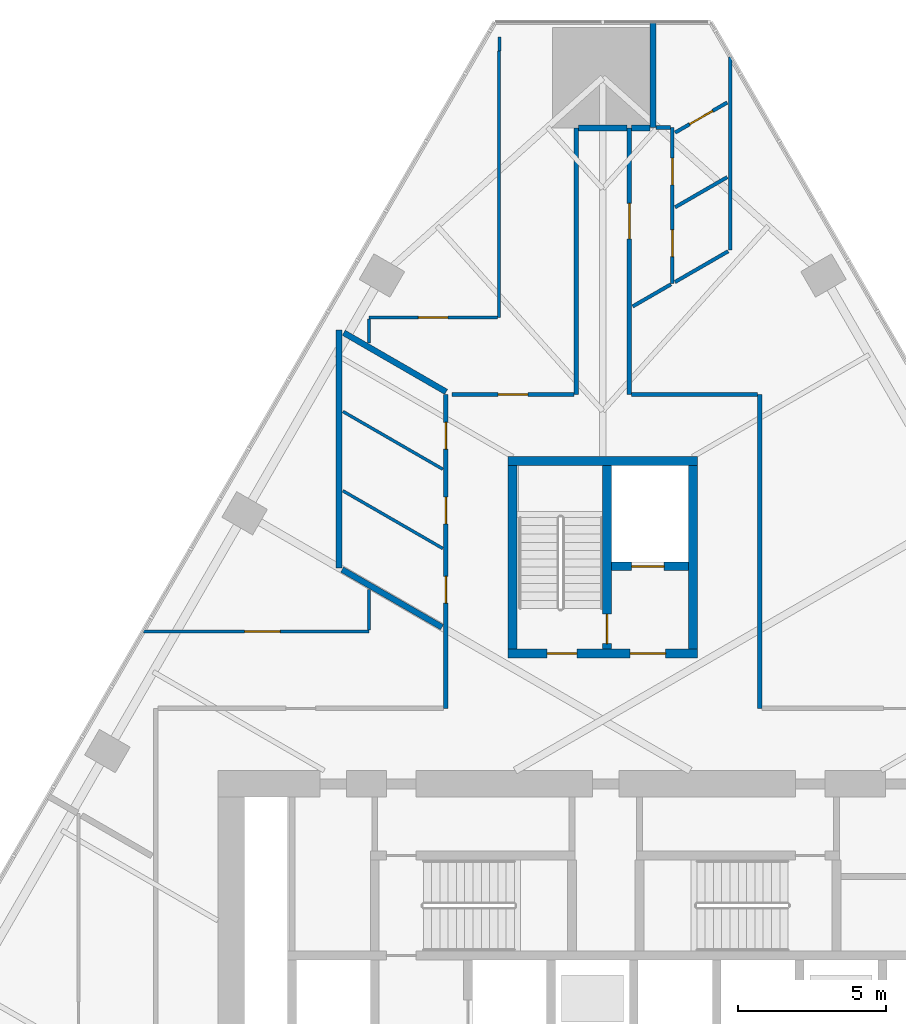
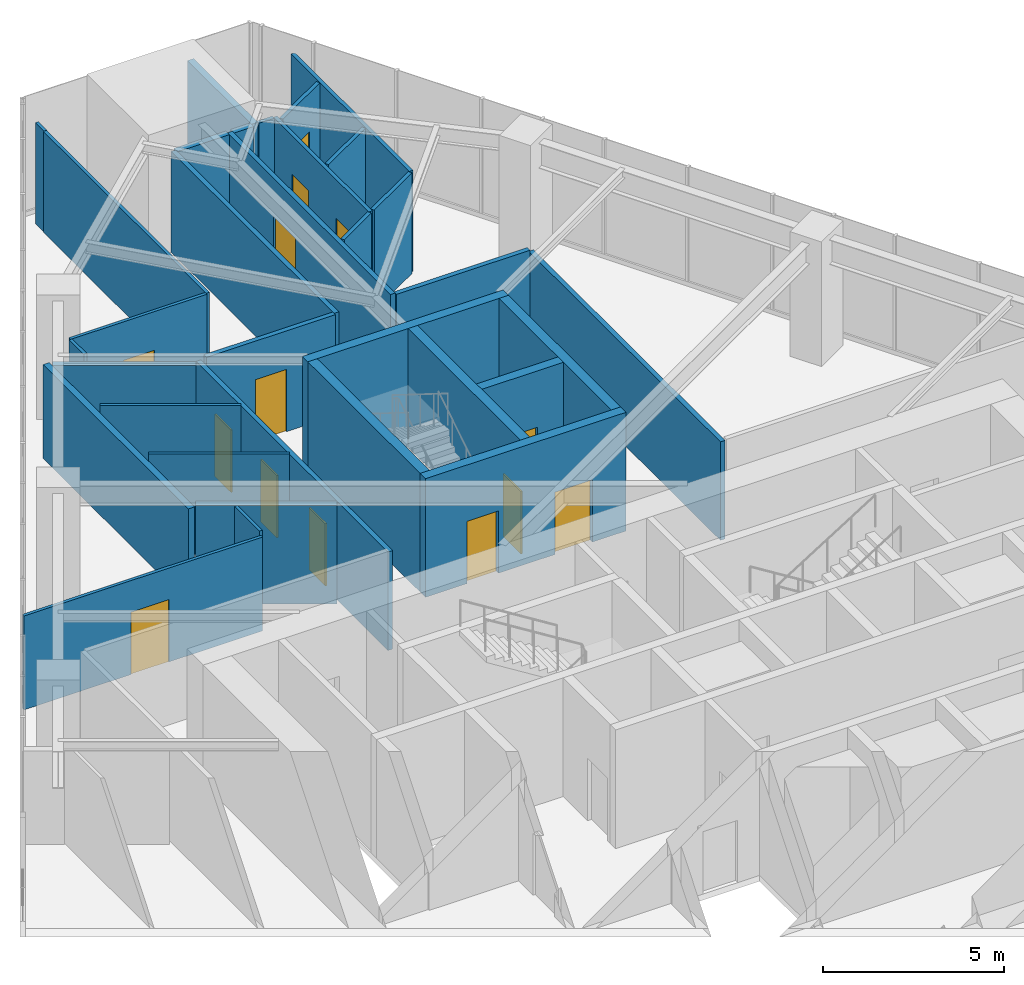
# One storey, part 19 of 22: 33 walls, 14 doors, 14 openings.
"""IFC4 building model written with IfcOpenShell, lengths in metres."""

from ifc_helpers import new_model, si_unit, direction, frame, frame_2d, origin, place, context, subcontext, project, spatial, rectangle, extrude, material, layer, layer_set, type_object, element, fill, save


model = new_model("IFC4")

# Units and contexts
model_context = context("Model", 3, precision=1e-05, world=origin(), true_north=direction((0.0, 1.0)))
body_context = subcontext(model_context, "Body", "Model", "MODEL_VIEW")
ifc_project = project(units=[si_unit("LENGTHUNIT", "METRE"), si_unit("AREAUNIT", "SQUARE_METRE"), si_unit("VOLUMEUNIT", "CUBIC_METRE"), si_unit("PLANEANGLEUNIT", "RADIAN"), si_unit("MASSUNIT", "GRAM", prefix="KILO")], contexts=[model_context])

# Site, building, storey
site_placement = place(None, origin())
site = spatial("IfcSite", under=ifc_project, at=site_placement, CompositionType="ELEMENT")
building_placement = place(site_placement, origin())
building = spatial("IfcBuilding", under=site, at=building_placement, Name="Firuza Gate Tower and Library", CompositionType="ELEMENT")
storey_placement = place(building_placement, frame((0.0, 0.0, 128.199951171875)))
storey = spatial("IfcBuildingStorey", under=building, at=storey_placement, Name="L29", CompositionType="ELEMENT", Elevation=128.199951171875)

# Wall, openings, doors
ifc_material_1 = material(Name="Concrete C80/95", Category="concrete")
ifc_layer_1 = layer(ifc_material_1, 0.300048828125)
ifc_layer_set_1 = layer_set([ifc_layer_1], Name="Core wall 300 C80/95")
wall_type_1 = type_object("IfcWallType", Name="Core wall 300 C80/95", PredefinedType="SHEAR", material=ifc_layer_set_1)
wall_1_placement = place(storey_placement, frame((71.800048828125, 87.949951171875, 0.0), z_axis=(0.0, 0.0, 1.0), x_axis=(1.0, 0.0, 0.0)))
wall_1 = element("IfcWall", 1, at=wall_1_placement, inside=storey, type_object=wall_type_1, Name="Core wall L29 34", PredefinedType="SHEAR", context=body_context, shape_type="SweptSolid", body=[
    extrude(rectangle(XDim=6.39990234375, YDim=0.300048828125, at=frame_2d((3.199951171875, 0.0))), origin(), (0.0, 0.0, 1.0), 4.0),
])
opening_1_placement = place(wall_1_placement, frame((1.324951171875, 0.0, 0.0)))
opening_1 = element("IfcOpeningElement", 2, at=opening_1_placement, cuts=wall_1, Name="Opening L29-K17", PredefinedType="OPENING", context=body_context, shape_type="SweptSolid", body=[
    extrude(rectangle(XDim=1.0, YDim=2.10009765625, at=frame_2d((0.5, 1.050048828125))), frame((0.0, 0.16015625, 0.0), z_axis=(0.0, -1.0, 0.0), x_axis=(1.0, 0.0, 0.0)), (0.0, 0.0, 1.0), 0.320068359375),
])
opening_2_placement = place(wall_1_placement, frame((4.125, 0.0, 0.0)))
opening_2 = element("IfcOpeningElement", 3, at=opening_2_placement, cuts=wall_1, Name="Opening L29-K19", PredefinedType="OPENING", context=body_context, shape_type="SweptSolid", body=[
    extrude(rectangle(XDim=1.199951171875, YDim=2.10009765625, at=frame_2d((0.60009765625, 1.050048828125))), frame((0.0, 0.16015625, 0.0), z_axis=(0.0, -1.0, 0.0), x_axis=(1.0, 0.0, 0.0)), (0.0, 0.0, 1.0), 0.320068359375),
])
ifc_material_2 = material(Name="Steel", Category="steel")
door_type_1 = type_object("IfcDoorType", Name="Fire door 1000x2100 FD90", OperationType="NOTDEFINED", PredefinedType="DOOR", material=ifc_material_2)
door_1_placement = place(opening_1_placement, origin())
door_1 = element("IfcDoor", 4, at=door_1_placement, inside=storey, type_object=door_type_1, Name="Door L29-K17", OperationType="SINGLE_SWING_RIGHT", OverallHeight=2.10009765625, OverallWidth=1.0, PredefinedType="DOOR", context=body_context, shape_type="SweptSolid", body=[
    extrude(rectangle(XDim=1.0, YDim=2.10009765625, at=frame_2d((0.5, 1.050048828125))), frame((0.0, 0.02490234375, 0.0), z_axis=(0.0, -1.0, 0.0), x_axis=(1.0, 0.0, 0.0)), (0.0, 0.0, 1.0), 0.050048828125),
])
fill(opening_1, door_1)
ifc_material_3 = material(Name="Steel", Category="steel")
door_type_2 = type_object("IfcDoorType", Name="Fire door 1200x2100 FD30S", OperationType="NOTDEFINED", PredefinedType="DOOR", material=ifc_material_3)
door_2_placement = place(opening_2_placement, origin())
door_2 = element("IfcDoor", 5, at=door_2_placement, inside=storey, type_object=door_type_2, Name="Door L29-K19", OperationType="SINGLE_SWING_RIGHT", OverallHeight=2.10009765625, OverallWidth=1.199951171875, PredefinedType="DOOR", context=body_context, shape_type="SweptSolid", body=[
    extrude(rectangle(XDim=1.199951171875, YDim=2.10009765625, at=frame_2d((0.60009765625, 1.050048828125))), frame((0.0, 0.02490234375, 0.0), z_axis=(0.0, -1.0, 0.0), x_axis=(1.0, 0.0, 0.0)), (0.0, 0.0, 1.0), 0.050048828125),
])
fill(opening_2, door_2)

# Walls
wall_2_placement = place(storey_placement, frame((71.800048828125, 94.449951171875, 0.0), z_axis=(0.0, 0.0, 1.0), x_axis=(1.0, 0.0, 0.0)))
element("IfcWall", 6, at=wall_2_placement, inside=storey, type_object=wall_type_1, Name="Core wall L29 35", PredefinedType="SHEAR", context=body_context, shape_type="SweptSolid", body=[
    extrude(rectangle(XDim=6.39990234375, YDim=0.300048828125, at=frame_2d((3.199951171875, 0.0))), origin(), (0.0, 0.0, 1.0), 4.0),
])
for number, where, z_axis, x_axis, name in (
    (7, (71.949951171875, 88.10009765625, 0.0), (0.0, 0.0, 1.0), (0.0, 1.0, 0.0), "Core wall L29 36"),
    (8, (78.050048828125, 88.10009765625, 0.0), (0.0, 0.0, 1.0), (0.0, 1.0, 0.0), "Core wall L29 37"),
):
    element("IfcWall", number, at=place(storey_placement, frame(where, z_axis=z_axis, x_axis=x_axis)), inside=storey, type_object=wall_type_1, Name=name, PredefinedType="SHEAR", context=body_context, shape_type="SweptSolid", body=[
        extrude(rectangle(XDim=6.199951171875, YDim=0.300048828125, at=frame_2d((3.10009765625, 0.0))), origin(), (0.0, 0.0, 1.0), 4.0),
    ])

# Wall, opening, door
wall_3_placement = place(storey_placement, frame((75.300048828125, 90.89990234375, 0.0), z_axis=(0.0, 0.0, 1.0), x_axis=(1.0, 0.0, 0.0)))
wall_3 = element("IfcWall", 9, at=wall_3_placement, inside=storey, type_object=wall_type_1, Name="Core wall L29 38", PredefinedType="SHEAR", context=body_context, shape_type="SweptSolid", body=[
    extrude(rectangle(XDim=2.599853515625, YDim=0.300048828125, at=frame_2d((1.2998046875, 0.0))), origin(), (0.0, 0.0, 1.0), 4.0),
])
opening_3_placement = place(wall_3_placement, frame((0.675048828125, 0.0, 0.0)))
opening_3 = element("IfcOpeningElement", 10, at=opening_3_placement, cuts=wall_3, Name="Opening LD-SV1-L29", PredefinedType="OPENING", context=body_context, shape_type="SweptSolid", body=[
    extrude(rectangle(XDim=1.10009765625, YDim=2.10009765625, at=frame_2d((0.550048828125, 1.050048828125))), frame((0.0, 0.16015625, 0.0), z_axis=(0.0, -1.0, 0.0), x_axis=(1.0, 0.0, 0.0)), (0.0, 0.0, 1.0), 0.320068359375),
])
ifc_material_4 = material(Name="Stainless steel", Category="steel")
door_type_3 = type_object("IfcDoorType", Name="Lift landing door 1100x2100", OperationType="DOUBLE_DOOR_SLIDING", PredefinedType="DOOR", material=ifc_material_4)
door_3_placement = place(opening_3_placement, origin())
door_3 = element("IfcDoor", 11, at=door_3_placement, inside=storey, type_object=door_type_3, Name="Landing door SV1 L29", OperationType="DOUBLE_DOOR_SLIDING", OverallHeight=2.10009765625, OverallWidth=1.10009765625, PredefinedType="DOOR", context=body_context, shape_type="SweptSolid", body=[
    extrude(rectangle(XDim=1.10009765625, YDim=2.10009765625, at=frame_2d((0.550048828125, 1.050048828125))), frame((0.0, 0.02490234375, 0.0), z_axis=(0.0, -1.0, 0.0), x_axis=(1.0, 0.0, 0.0)), (0.0, 0.0, 1.0), 0.050048828125),
])
fill(opening_3, door_3)

wall_4_placement = place(storey_placement, frame((75.14990234375, 88.10009765625, 0.0), z_axis=(0.0, 0.0, 1.0), x_axis=(0.0, 1.0, 0.0)))
wall_4 = element("IfcWall", 12, at=wall_4_placement, inside=storey, type_object=wall_type_1, Name="Core wall L29 39", PredefinedType="SHEAR", context=body_context, shape_type="SweptSolid", body=[
    extrude(rectangle(XDim=6.199951171875, YDim=0.300048828125, at=frame_2d((3.10009765625, 0.0))), origin(), (0.0, 0.0, 1.0), 4.0),
])
opening_4_placement = place(wall_4_placement, frame((0.18505859375, 0.0, 0.0)))
opening_4 = element("IfcOpeningElement", 13, at=opening_4_placement, cuts=wall_4, Name="Opening L29-K18", PredefinedType="OPENING", context=body_context, shape_type="SweptSolid", body=[
    extrude(rectangle(XDim=1.0, YDim=2.10009765625, at=frame_2d((0.5, 1.050048828125))), frame((0.0, 0.16015625, 0.0), z_axis=(0.0, -1.0, 0.0), x_axis=(1.0, 0.0, 0.0)), (0.0, 0.0, 1.0), 0.320068359375),
])
door_4_placement = place(opening_4_placement, origin())
door_4 = element("IfcDoor", 14, at=door_4_placement, inside=storey, type_object=door_type_1, Name="Door L29-K18", OperationType="SINGLE_SWING_LEFT", OverallHeight=2.10009765625, OverallWidth=1.0, PredefinedType="DOOR", context=body_context, shape_type="SweptSolid", body=[
    extrude(rectangle(XDim=1.0, YDim=2.10009765625, at=frame_2d((0.5, 1.050048828125))), frame((0.0, 0.02490234375, 0.0), z_axis=(0.0, -1.0, 0.0), x_axis=(1.0, 0.0, 0.0)), (0.0, 0.0, 1.0), 0.050048828125),
])
fill(opening_4, door_4)

ifc_material_5 = material(Name="Gypsum board partition")
ifc_layer_2 = layer(ifc_material_5, 0.14990234375)
ifc_layer_set_2 = layer_set([ifc_layer_2], Name="Corridor wall 150 double board on steel studs")
wall_type_2 = type_object("IfcWallType", Name="Corridor wall 150 double board on steel studs", PredefinedType="PARTITIONING", material=ifc_layer_set_2)
wall_5_placement = place(storey_placement, frame((69.9150390625, 96.699951171875, 0.0), z_axis=(0.0, 0.0, 1.0), x_axis=(1.0, 0.0, 0.0)))
wall_5 = element("IfcWall", 15, at=wall_5_placement, inside=storey, type_object=wall_type_2, Name="f:L29:w005", PredefinedType="PARTITIONING", context=body_context, shape_type="SweptSolid", body=[
    extrude(rectangle(XDim=4.10986328125, YDim=0.14990234375, at=frame_2d((2.054931640625, 0.0))), origin(), (0.0, 0.0, 1.0), 3.400146484375),
])
opening_5_placement = place(wall_5_placement, frame((1.554931640625, 0.0, 0.0)))
opening_5 = element("IfcOpeningElement", 16, at=opening_5_placement, cuts=wall_5, Name="Opening L29-09", PredefinedType="OPENING", context=body_context, shape_type="SweptSolid", body=[
    extrude(rectangle(XDim=1.0, YDim=2.10009765625, at=frame_2d((0.5, 1.050048828125))), frame((0.0, 0.0849609375, 0.0), z_axis=(0.0, -1.0, 0.0), x_axis=(1.0, 0.0, 0.0)), (0.0, 0.0, 1.0), 0.169921875),
])
ifc_material_6 = material(Name="Steel door and timber leaf", Category="steel")
door_type_4 = type_object("IfcDoorType", Name="Fire door 1000 x 2100 steel frame, timber leaf", OperationType="NOTDEFINED", PredefinedType="DOOR", material=ifc_material_6)
door_5_placement = place(opening_5_placement, origin())
door_5 = element("IfcDoor", 17, at=door_5_placement, inside=storey, type_object=door_type_4, Name="f:L29:d009", OperationType="SINGLE_SWING_LEFT", OverallHeight=2.10009765625, OverallWidth=1.0, PredefinedType="DOOR", context=body_context, shape_type="SweptSolid", body=[
    extrude(rectangle(XDim=1.0, YDim=2.10009765625, at=frame_2d((0.5, 1.050048828125))), frame((0.0, 0.02490234375, 0.0), z_axis=(0.0, -1.0, 0.0), x_axis=(1.0, 0.0, 0.0)), (0.0, 0.0, 1.0), 0.050048828125),
])
fill(opening_5, door_5)

# Walls
wall_6_placement = place(storey_placement, frame((75.97509765625, 96.699951171875, 0.0), z_axis=(0.0, 0.0, 1.0), x_axis=(1.0, 0.0, 0.0)))
element("IfcWall", 18, at=wall_6_placement, inside=storey, type_object=wall_type_2, Name="f:L29:w006", PredefinedType="PARTITIONING", context=body_context, shape_type="SweptSolid", body=[
    extrude(rectangle(XDim=4.249267578125, YDim=0.14990234375, at=frame_2d((2.12451171875, 0.0))), origin(), (0.0, 0.0, 1.0), 3.400146484375),
])
wall_7_placement = place(storey_placement, frame((80.300048828125, 86.10009765625, 0.0), z_axis=(0.0, 0.0, 1.0), x_axis=(0.0, 1.0, 0.0)))
element("IfcWall", 19, at=wall_7_placement, inside=storey, type_object=wall_type_2, Name="f:L29:w030", PredefinedType="PARTITIONING", context=body_context, shape_type="SweptSolid", body=[
    extrude(rectangle(XDim=10.599365234375, YDim=0.14990234375, at=frame_2d((5.2998046875, 0.0))), origin(), (0.0, 0.0, 1.0), 3.322021484375),
])

# Wall, opening, door
wall_8_placement = place(storey_placement, frame((75.89990234375, 105.698486328125, 0.0), z_axis=(0.0, 0.0, 1.0), x_axis=(0.0, -1.0, 0.0)))
wall_8 = element("IfcWall", 20, at=wall_8_placement, inside=storey, type_object=wall_type_2, Name="f:L29:w035", PredefinedType="PARTITIONING", context=body_context, shape_type="SweptSolid", body=[
    extrude(rectangle(XDim=8.99853515625, YDim=0.14990234375, at=frame_2d((4.499267578125, 0.0))), origin(), (0.0, 0.0, 1.0), 3.400146484375),
])
opening_6_placement = place(wall_8_placement, frame((2.5458984375, 0.0, 0.0)))
opening_6 = element("IfcOpeningElement", 21, at=opening_6_placement, cuts=wall_8, Name="Opening L29-22", PredefinedType="OPENING", context=body_context, shape_type="SweptSolid", body=[
    extrude(rectangle(XDim=1.199951171875, YDim=2.10009765625, at=frame_2d((0.60009765625, 1.050048828125))), frame((0.0, 0.0849609375, 0.0), z_axis=(0.0, -1.0, 0.0), x_axis=(1.0, 0.0, 0.0)), (0.0, 0.0, 1.0), 0.169921875),
])
ifc_material_7 = material(Name="Steel door and timber leaf", Category="steel")
door_type_5 = type_object("IfcDoorType", Name="Fire door 1200 x 2100 steel frame, double leaf", OperationType="NOTDEFINED", PredefinedType="DOOR", material=ifc_material_7)
door_6_placement = place(opening_6_placement, origin())
door_6 = element("IfcDoor", 22, at=door_6_placement, inside=storey, type_object=door_type_5, Name="f:L29:d022", OperationType="DOUBLE_DOOR_SINGLE_SWING", OverallHeight=2.10009765625, OverallWidth=1.199951171875, PredefinedType="DOOR", context=body_context, shape_type="SweptSolid", body=[
    extrude(rectangle(XDim=1.199951171875, YDim=2.10009765625, at=frame_2d((0.60009765625, 1.050048828125))), frame((0.0, 0.02490234375, 0.0), z_axis=(0.0, -1.0, 0.0), x_axis=(1.0, 0.0, 0.0)), (0.0, 0.0, 1.0), 0.050048828125),
])
fill(opening_6, door_6)

# Wall
wall_9_placement = place(storey_placement, frame((74.10009765625, 96.699951171875, 0.0), z_axis=(0.0, 0.0, 1.0), x_axis=(0.0, 1.0, 0.0)))
element("IfcWall", 23, at=wall_9_placement, inside=storey, type_object=wall_type_2, Name="f:L29:w036", PredefinedType="PARTITIONING", context=body_context, shape_type="SweptSolid", body=[
    extrude(rectangle(XDim=8.998046875, YDim=0.14990234375, at=frame_2d((4.4990234375, 0.0))), origin(), (0.0, 0.0, 1.0), 3.400146484375),
])

# Wall, openings, doors
wall_10_placement = place(storey_placement, frame((69.699951171875, 86.10009765625, 0.0), z_axis=(0.0, 0.0, 1.0), x_axis=(0.0, 1.0, 0.0)))
wall_10 = element("IfcWall", 24, at=wall_10_placement, inside=storey, type_object=wall_type_2, Name="f:L29:w039", PredefinedType="PARTITIONING", context=body_context, shape_type="SweptSolid", body=[
    extrude(rectangle(XDim=10.599853515625, YDim=0.14990234375, at=frame_2d((5.2998046875, 0.0))), origin(), (0.0, 0.0, 1.0), 3.322021484375),
])
opening_7_placement = place(wall_10_placement, frame((3.55517578125, 0.0, 0.0)))
opening_7 = element("IfcOpeningElement", 25, at=opening_7_placement, cuts=wall_10, Name="Opening L29-23", PredefinedType="OPENING", context=body_context, shape_type="SweptSolid", body=[
    extrude(rectangle(XDim=0.89990234375, YDim=2.10009765625, at=frame_2d((0.449951171875, 1.050048828125))), frame((0.0, 0.0849609375, 0.0), z_axis=(0.0, -1.0, 0.0), x_axis=(1.0, 0.0, 0.0)), (0.0, 0.0, 1.0), 0.169921875),
])
opening_8_placement = place(wall_10_placement, frame((6.23193359375, 0.0, 0.0)))
opening_8 = element("IfcOpeningElement", 26, at=opening_8_placement, cuts=wall_10, Name="Opening L29-24", PredefinedType="OPENING", context=body_context, shape_type="SweptSolid", body=[
    extrude(rectangle(XDim=0.89990234375, YDim=2.10009765625, at=frame_2d((0.449951171875, 1.050048828125))), frame((0.0, 0.0849609375, 0.0), z_axis=(0.0, -1.0, 0.0), x_axis=(1.0, 0.0, 0.0)), (0.0, 0.0, 1.0), 0.169921875),
])
opening_9_placement = place(wall_10_placement, frame((8.758544921875, 0.0, 0.0)))
opening_9 = element("IfcOpeningElement", 27, at=opening_9_placement, cuts=wall_10, Name="Opening L29-25", PredefinedType="OPENING", context=body_context, shape_type="SweptSolid", body=[
    extrude(rectangle(XDim=0.89990234375, YDim=2.10009765625, at=frame_2d((0.449951171875, 1.050048828125))), frame((0.0, 0.0849609375, 0.0), z_axis=(0.0, -1.0, 0.0), x_axis=(1.0, 0.0, 0.0)), (0.0, 0.0, 1.0), 0.169921875),
])
ifc_material_8 = material(Name="Steel door and timber leaf", Category="steel")
door_type_6 = type_object("IfcDoorType", Name="Fire door 900 x 2100 steel frame, timber leaf", OperationType="NOTDEFINED", PredefinedType="DOOR", material=ifc_material_8)
door_7_placement = place(opening_7_placement, origin())
door_7 = element("IfcDoor", 28, at=door_7_placement, inside=storey, type_object=door_type_6, Name="f:L29:d023", OperationType="SINGLE_SWING_RIGHT", OverallHeight=2.10009765625, OverallWidth=0.89990234375, PredefinedType="DOOR", context=body_context, shape_type="SweptSolid", body=[
    extrude(rectangle(XDim=0.89990234375, YDim=2.10009765625, at=frame_2d((0.449951171875, 1.050048828125))), frame((0.0, 0.02490234375, 0.0), z_axis=(0.0, -1.0, 0.0), x_axis=(1.0, 0.0, 0.0)), (0.0, 0.0, 1.0), 0.050048828125),
])
fill(opening_7, door_7)
door_8_placement = place(opening_8_placement, origin())
door_8 = element("IfcDoor", 29, at=door_8_placement, inside=storey, type_object=door_type_6, Name="f:L29:d024", OperationType="SINGLE_SWING_LEFT", OverallHeight=2.10009765625, OverallWidth=0.89990234375, PredefinedType="DOOR", context=body_context, shape_type="SweptSolid", body=[
    extrude(rectangle(XDim=0.89990234375, YDim=2.10009765625, at=frame_2d((0.449951171875, 1.050048828125))), frame((0.0, 0.02490234375, 0.0), z_axis=(0.0, -1.0, 0.0), x_axis=(1.0, 0.0, 0.0)), (0.0, 0.0, 1.0), 0.050048828125),
])
fill(opening_8, door_8)
door_9_placement = place(opening_9_placement, origin())
door_9 = element("IfcDoor", 30, at=door_9_placement, inside=storey, type_object=door_type_6, Name="f:L29:d025", OperationType="SINGLE_SWING_RIGHT", OverallHeight=2.10009765625, OverallWidth=0.89990234375, PredefinedType="DOOR", context=body_context, shape_type="SweptSolid", body=[
    extrude(rectangle(XDim=0.89990234375, YDim=2.10009765625, at=frame_2d((0.449951171875, 1.050048828125))), frame((0.0, 0.02490234375, 0.0), z_axis=(0.0, -1.0, 0.0), x_axis=(1.0, 0.0, 0.0)), (0.0, 0.0, 1.0), 0.050048828125),
])
fill(opening_9, door_9)

# Walls
ifc_material_9 = material(Name="Gypsum board partition")
ifc_layer_3 = layer(ifc_material_9, 0.199951171875)
ifc_layer_set_3 = layer_set([ifc_layer_3], Name="Demising wall 200 acoustic double stud")
wall_type_3 = type_object("IfcWallType", Name="Demising wall 200 acoustic double stud", PredefinedType="PARTITIONING", material=ifc_layer_set_3)
wall_11_placement = place(storey_placement, frame((74.175537109375, 105.698974609375, 0.0), z_axis=(0.0, 0.0, 1.0), x_axis=(1.0, 0.0, 0.0)))
element("IfcWall", 31, at=wall_11_placement, inside=storey, type_object=wall_type_3, Name="f:L29:w008", PredefinedType="PARTITIONING", context=body_context, shape_type="SweptSolid", body=[
    extrude(rectangle(XDim=1.6494140625, YDim=0.199951171875, at=frame_2d((0.82470703125, 0.0))), origin(), (0.0, 0.0, 1.0), 3.39697265625),
])
wall_12_placement = place(storey_placement, frame((76.699951171875, 105.715087890625, 0.0), z_axis=(0.0, 0.0, 1.0), x_axis=(0.0, 1.0, 0.0)))
element("IfcWall", 32, at=wall_12_placement, inside=storey, type_object=wall_type_3, Name="f:L29:w034", PredefinedType="PARTITIONING", context=body_context, shape_type="SweptSolid", body=[
    extrude(rectangle(XDim=3.54345703125, YDim=0.199951171875, at=frame_2d((1.771728515625, 0.0))), origin(), (0.0, 0.0, 1.0), 3.400146484375),
])
wall_13_placement = place(storey_placement, frame((66.10009765625, 90.845947265625, 0.0), z_axis=(0.0, 0.0, 1.0), x_axis=(0.0, 1.0, 0.0)))
element("IfcWall", 33, at=wall_13_placement, inside=storey, type_object=wall_type_3, Name="f:L29:w042", PredefinedType="PARTITIONING", context=body_context, shape_type="SweptSolid", body=[
    extrude(rectangle(XDim=8.02880859375, YDim=0.199951171875, at=frame_2d((4.014404296875, 0.0))), origin(), (0.0, 0.0, 1.0), 3.1650390625),
])
wall_14_placement = place(storey_placement, frame((69.71142578125, 96.78955078125, 0.0), z_axis=(0.0, 0.0, 1.0), x_axis=(-0.866021621257, 0.500006551472, 0.0)))
element("IfcWall", 34, at=wall_14_placement, inside=storey, type_object=wall_type_3, Name="f:L29:w050", PredefinedType="PARTITIONING", context=body_context, shape_type="SweptSolid", body=[
    extrude(rectangle(XDim=3.9921875, YDim=0.199951171875, at=frame_2d((1.99609375, 0.0))), origin(), (0.0, 0.0, 1.0), 3.1650390625),
])
wall_15_placement = place(storey_placement, frame((69.572998046875, 88.83984375, 0.0), z_axis=(0.0, 0.0, 1.0), x_axis=(-0.866043624834, 0.499968438888, 0.0)))
element("IfcWall", 35, at=wall_15_placement, inside=storey, type_object=wall_type_3, Name="f:L29:w053", PredefinedType="PARTITIONING", context=body_context, shape_type="SweptSolid", body=[
    extrude(rectangle(XDim=3.894775390625, YDim=0.199951171875, at=frame_2d((1.947265625, 0.0))), origin(), (0.0, 0.0, 1.0), 3.322021484375),
])
wall_16_placement = place(storey_placement, frame((75.97509765625, 105.698974609375, 0.0), z_axis=(0.0, 0.0, 1.0), x_axis=(1.0, 0.0, 0.0)))
element("IfcWall", 36, at=wall_16_placement, inside=storey, type_object=wall_type_3, Name="f:L29:w065", PredefinedType="PARTITIONING", context=body_context, shape_type="SweptSolid", body=[
    extrude(rectangle(XDim=0.62451171875, YDim=0.199951171875, at=frame_2d((0.312255859375, 0.0))), origin(), (0.0, 0.0, 1.0), 3.400146484375),
])

# Wall, opening, door
ifc_material_10 = material(Name="Gypsum board partition")
ifc_layer_4 = layer(ifc_material_10, 0.10009765625)
ifc_layer_set_4 = layer_set([ifc_layer_4], Name="Partition 100 gypsum board on steel studs")
wall_type_4 = type_object("IfcWallType", Name="Partition 100 gypsum board on steel studs", PredefinedType="PARTITIONING", material=ifc_layer_set_4)
wall_17_placement = place(storey_placement, frame((67.099609375, 88.699951171875, 0.0), z_axis=(0.0, 0.0, 1.0), x_axis=(-1.0, 0.0, 0.0)))
wall_17 = element("IfcWall", 37, at=wall_17_placement, inside=storey, type_object=wall_type_4, Name="f:L29:w004", PredefinedType="PARTITIONING", context=body_context, shape_type="SweptSolid", body=[
    extrude(rectangle(XDim=7.603759765625, YDim=0.10009765625, at=frame_2d((3.8017578125, 0.0))), origin(), (0.0, 0.0, 1.0), 3.1650390625),
])
opening_10_placement = place(wall_17_placement, frame((2.993896484375, 0.0, 0.0)))
opening_10 = element("IfcOpeningElement", 38, at=opening_10_placement, cuts=wall_17, Name="Opening L29-08", PredefinedType="OPENING", context=body_context, shape_type="SweptSolid", body=[
    extrude(rectangle(XDim=1.199951171875, YDim=2.10009765625, at=frame_2d((0.60009765625, 1.050048828125))), frame((0.0, 0.06005859375, 0.0), z_axis=(0.0, -1.0, 0.0), x_axis=(1.0, 0.0, 0.0)), (0.0, 0.0, 1.0), 0.1201171875),
])
ifc_material_11 = material(Name="Glazed aluminium door", Category="aluminium")
door_type_7 = type_object("IfcDoorType", Name="Door 1200 x 2100 glazed double leaf", OperationType="NOTDEFINED", PredefinedType="DOOR", material=ifc_material_11)
door_10_placement = place(opening_10_placement, origin())
door_10 = element("IfcDoor", 39, at=door_10_placement, inside=storey, type_object=door_type_7, Name="f:L29:d008", OperationType="DOUBLE_DOOR_SINGLE_SWING", OverallHeight=2.10009765625, OverallWidth=1.199951171875, PredefinedType="DOOR", context=body_context, shape_type="SweptSolid", body=[
    extrude(rectangle(XDim=1.199951171875, YDim=2.10009765625, at=frame_2d((0.60009765625, 1.050048828125))), frame((0.0, 0.02490234375, 0.0), z_axis=(0.0, -1.0, 0.0), x_axis=(1.0, 0.0, 0.0)), (0.0, 0.0, 1.0), 0.050048828125),
])
fill(opening_10, door_10)

wall_18_placement = place(storey_placement, frame((67.10009765625, 99.300048828125, 0.0), z_axis=(0.0, 0.0, 1.0), x_axis=(1.0, 0.0, 0.0)))
wall_18 = element("IfcWall", 40, at=wall_18_placement, inside=storey, type_object=wall_type_4, Name="f:L29:w007", PredefinedType="PARTITIONING", context=body_context, shape_type="SweptSolid", body=[
    extrude(rectangle(XDim=4.349365234375, YDim=0.10009765625, at=frame_2d((2.1748046875, 0.0))), origin(), (0.0, 0.0, 1.0), 3.400146484375),
])
opening_11_placement = place(wall_18_placement, frame((1.6748046875, 0.0, 0.0)))
opening_11 = element("IfcOpeningElement", 41, at=opening_11_placement, cuts=wall_18, Name="Opening L29-10", PredefinedType="OPENING", context=body_context, shape_type="SweptSolid", body=[
    extrude(rectangle(XDim=1.0, YDim=2.10009765625, at=frame_2d((0.5, 1.050048828125))), frame((0.0, 0.06005859375, 0.0), z_axis=(0.0, -1.0, 0.0), x_axis=(1.0, 0.0, 0.0)), (0.0, 0.0, 1.0), 0.1201171875),
])
ifc_material_12 = material(Name="Timber door", Category="wood")
door_type_8 = type_object("IfcDoorType", Name="Door 1000 x 2100 timber leaf", OperationType="NOTDEFINED", PredefinedType="DOOR", material=ifc_material_12)
door_11_placement = place(opening_11_placement, origin())
door_11 = element("IfcDoor", 42, at=door_11_placement, inside=storey, type_object=door_type_8, Name="f:L29:d010", OperationType="SINGLE_SWING_RIGHT", OverallHeight=2.10009765625, OverallWidth=1.0, PredefinedType="DOOR", context=body_context, shape_type="SweptSolid", body=[
    extrude(rectangle(XDim=1.0, YDim=2.10009765625, at=frame_2d((0.5, 1.050048828125))), frame((0.0, 0.02490234375, 0.0), z_axis=(0.0, -1.0, 0.0), x_axis=(1.0, 0.0, 0.0)), (0.0, 0.0, 1.0), 0.050048828125),
])
fill(opening_11, door_11)

# Walls
wall_19_placement = place(storey_placement, frame((71.51904296875, 108.299072265625, 0.0), z_axis=(0.0, 0.0, 1.0), x_axis=(0.0, 1.0, 0.0)))
element("IfcWall", 43, at=wall_19_placement, inside=storey, type_object=wall_type_4, Name="f:L29:w037", PredefinedType="PARTITIONING", context=body_context, shape_type="SweptSolid", body=[
    extrude(rectangle(XDim=0.47265625, YDim=0.10009765625, at=frame_2d((0.236328125, 0.0))), origin(), (0.0, 0.0, 1.0), 3.400146484375),
])
wall_20_placement = place(storey_placement, frame((71.5, 99.300537109375, 0.0), z_axis=(0.0, 0.0, 1.0), x_axis=(0.0, 1.0, 0.0)))
element("IfcWall", 44, at=wall_20_placement, inside=storey, type_object=wall_type_4, Name="f:L29:w038", PredefinedType="PARTITIONING", context=body_context, shape_type="SweptSolid", body=[
    extrude(rectangle(XDim=8.998046875, YDim=0.10009765625, at=frame_2d((4.4990234375, 0.0))), origin(), (0.0, 0.0, 1.0), 3.400146484375),
])
wall_21_placement = place(storey_placement, frame((67.10009765625, 88.75048828125, 0.0), z_axis=(0.0, 0.0, 1.0), x_axis=(0.0, 1.0, 0.0)))
element("IfcWall", 45, at=wall_21_placement, inside=storey, type_object=wall_type_4, Name="f:L29:w040", PredefinedType="PARTITIONING", context=body_context, shape_type="SweptSolid", body=[
    extrude(rectangle(XDim=1.371826171875, YDim=0.10009765625, at=frame_2d((0.68603515625, 0.0))), origin(), (0.0, 0.0, 1.0), 3.322021484375),
])
wall_22_placement = place(storey_placement, frame((67.10009765625, 98.443359375, 0.0), z_axis=(0.0, 0.0, 1.0), x_axis=(0.0, 1.0, 0.0)))
element("IfcWall", 46, at=wall_22_placement, inside=storey, type_object=wall_type_4, Name="f:L29:w041", PredefinedType="PARTITIONING", context=body_context, shape_type="SweptSolid", body=[
    extrude(rectangle(XDim=0.806640625, YDim=0.10009765625, at=frame_2d((0.4033203125, 0.0))), origin(), (0.0, 0.0, 1.0), 3.400146484375),
])
wall_23_placement = place(storey_placement, frame((69.598876953125, 94.177978515625, 0.0), z_axis=(0.0, 0.0, 1.0), x_axis=(-0.866016482536, 0.500015451737, 0.0)))
element("IfcWall", 47, at=wall_23_placement, inside=storey, type_object=wall_type_4, Name="f:L29:w051", PredefinedType="PARTITIONING", context=body_context, shape_type="SweptSolid", body=[
    extrude(rectangle(XDim=3.89501953125, YDim=0.10009765625, at=frame_2d((1.947509765625, 0.0))), origin(), (0.0, 0.0, 1.0), 3.400146484375),
])
wall_24_placement = place(storey_placement, frame((69.598876953125, 91.50146484375, 0.0), z_axis=(0.0, 0.0, 1.0), x_axis=(-0.866043624834, 0.499968438888, 0.0)))
element("IfcWall", 48, at=wall_24_placement, inside=storey, type_object=wall_type_4, Name="f:L29:w052", PredefinedType="PARTITIONING", context=body_context, shape_type="SweptSolid", body=[
    extrude(rectangle(XDim=3.894775390625, YDim=0.10009765625, at=frame_2d((1.947265625, 0.0))), origin(), (0.0, 0.0, 1.0), 3.400146484375),
])
ifc_material_13 = material(Name="Gypsum board partition")
ifc_layer_5 = layer(ifc_material_13, 0.1201171875)
ifc_layer_set_5 = layer_set([ifc_layer_5], Name="Wet-area partition 120 moisture-resistant board")
wall_type_5 = type_object("IfcWallType", Name="Wet-area partition 120 moisture-resistant board", PredefinedType="PARTITIONING", material=ifc_layer_set_5)
wall_25_placement = place(storey_placement, frame((76.800048828125, 105.718017578125, 0.0), z_axis=(0.0, 0.0, 1.0), x_axis=(1.0, 0.0, 0.0)))
element("IfcWall", 49, at=wall_25_placement, inside=storey, type_object=wall_type_5, Name="f:L29:w009", PredefinedType="PARTITIONING", context=body_context, shape_type="SweptSolid", body=[
    extrude(rectangle(XDim=0.489501953125, YDim=0.1201171875, at=frame_2d((0.24462890625, 0.0))), origin(), (0.0, 0.0, 1.0), 3.400146484375),
])
wall_26_placement = place(storey_placement, frame((76.009521484375, 99.67333984375, 0.0), z_axis=(0.0, 0.0, 1.0), x_axis=(0.865943626461, 0.500141615736, 0.0)))
element("IfcWall", 50, at=wall_26_placement, inside=storey, type_object=wall_type_5, Name="f:L29:w019", PredefinedType="PARTITIONING", context=body_context, shape_type="SweptSolid", body=[
    extrude(rectangle(XDim=1.49560546875, YDim=0.1201171875, at=frame_2d((0.747802734375, 0.0))), origin(), (0.0, 0.0, 1.0), 3.400146484375),
])
wall_27_placement = place(storey_placement, frame((77.444580078125, 103.02392578125, 0.0), z_axis=(0.0, 0.0, 1.0), x_axis=(0.866039589866, 0.499975428181, 0.0)))
element("IfcWall", 51, at=wall_27_placement, inside=storey, type_object=wall_type_5, Name="f:L29:w020", PredefinedType="PARTITIONING", context=body_context, shape_type="SweptSolid", body=[
    extrude(rectangle(XDim=2.03271484375, YDim=0.1201171875, at=frame_2d((1.016357421875, 0.0))), origin(), (0.0, 0.0, 1.0), 3.400146484375),
])

# Wall, opening, door
wall_28_placement = place(storey_placement, frame((79.205322265625, 106.562255859375, 0.0), z_axis=(0.0, 0.0, 1.0), x_axis=(-0.866017611601, -0.500013496215, 0.0)))
wall_28 = element("IfcWall", 52, at=wall_28_placement, inside=storey, type_object=wall_type_5, Name="f:L29:w021", PredefinedType="PARTITIONING", context=body_context, shape_type="SweptSolid", body=[
    extrude(rectangle(XDim=2.033203125, YDim=0.1201171875, at=frame_2d((1.0166015625, 0.0))), origin(), (0.0, 0.0, 1.0), 3.400146484375),
])
opening_12_placement = place(wall_28_placement, frame((0.566650390625, 0.0, 0.0)))
opening_12 = element("IfcOpeningElement", 53, at=opening_12_placement, cuts=wall_28, Name="Opening L29-15", PredefinedType="OPENING", context=body_context, shape_type="SweptSolid", body=[
    extrude(rectangle(XDim=0.89990234375, YDim=2.10009765625, at=frame_2d((0.449951171875, 1.050048828125))), frame((0.0, 0.070068359375, 0.0), z_axis=(0.0, -1.0, 0.0), x_axis=(1.0, 0.0, 0.0)), (0.0, 0.0, 1.0), 0.14013671875),
])
ifc_material_14 = material(Name="Timber door", Category="wood")
door_type_9 = type_object("IfcDoorType", Name="Door 900 x 2100 timber leaf", OperationType="NOTDEFINED", PredefinedType="DOOR", material=ifc_material_14)
door_12_placement = place(opening_12_placement, origin())
door_12 = element("IfcDoor", 54, at=door_12_placement, inside=storey, type_object=door_type_9, Name="f:L29:d015", OperationType="SINGLE_SWING_RIGHT", OverallHeight=2.10009765625, OverallWidth=0.89990234375, PredefinedType="DOOR", context=body_context, shape_type="SweptSolid", body=[
    extrude(rectangle(XDim=0.89990234375, YDim=2.10009765625, at=frame_2d((0.449951171875, 1.050048828125))), frame((0.0, 0.02490234375, 0.0), z_axis=(0.0, -1.0, 0.0), x_axis=(1.0, 0.0, 0.0)), (0.0, 0.0, 1.0), 0.050048828125),
])
fill(opening_12, door_12)

# Wall
wall_29_placement = place(storey_placement, frame((79.300048828125, 101.57275390625, 0.0), z_axis=(0.0, 0.0, 1.0), x_axis=(0.0, 1.0, 0.0)))
element("IfcWall", 55, at=wall_29_placement, inside=storey, type_object=wall_type_5, Name="f:L29:w032", PredefinedType="PARTITIONING", context=body_context, shape_type="SweptSolid", body=[
    extrude(rectangle(XDim=6.533447265625, YDim=0.1201171875, at=frame_2d((3.2666015625, 0.0))), origin(), (0.0, 0.0, 1.0), 3.400146484375),
])

# Wall, openings, doors
wall_30_placement = place(storey_placement, frame((77.35009765625, 100.44677734375, 0.0), z_axis=(0.0, 0.0, 1.0), x_axis=(0.0, 1.0, 0.0)))
wall_30 = element("IfcWall", 56, at=wall_30_placement, inside=storey, type_object=wall_type_5, Name="f:L29:w033", PredefinedType="PARTITIONING", context=body_context, shape_type="SweptSolid", body=[
    extrude(rectangle(XDim=5.270751953125, YDim=0.1201171875, at=frame_2d((2.63525390625, 0.0))), origin(), (0.0, 0.0, 1.0), 3.400146484375),
])
opening_13_placement = place(wall_30_placement, frame((0.912841796875, 0.0, 0.0)))
opening_13 = element("IfcOpeningElement", 57, at=opening_13_placement, cuts=wall_30, Name="Opening L29-20", PredefinedType="OPENING", context=body_context, shape_type="SweptSolid", body=[
    extrude(rectangle(XDim=0.89990234375, YDim=2.10009765625, at=frame_2d((0.449951171875, 1.050048828125))), frame((0.0, 0.070068359375, 0.0), z_axis=(0.0, -1.0, 0.0), x_axis=(1.0, 0.0, 0.0)), (0.0, 0.0, 1.0), 0.14013671875),
])
opening_14_placement = place(wall_30_placement, frame((3.333251953125, 0.0, 0.0)))
opening_14 = element("IfcOpeningElement", 58, at=opening_14_placement, cuts=wall_30, Name="Opening L29-21", PredefinedType="OPENING", context=body_context, shape_type="SweptSolid", body=[
    extrude(rectangle(XDim=0.89990234375, YDim=2.10009765625, at=frame_2d((0.449951171875, 1.050048828125))), frame((0.0, 0.070068359375, 0.0), z_axis=(0.0, -1.0, 0.0), x_axis=(1.0, 0.0, 0.0)), (0.0, 0.0, 1.0), 0.14013671875),
])
door_13_placement = place(opening_13_placement, origin())
door_13 = element("IfcDoor", 59, at=door_13_placement, inside=storey, type_object=door_type_9, Name="f:L29:d020", OperationType="SINGLE_SWING_LEFT", OverallHeight=2.10009765625, OverallWidth=0.89990234375, PredefinedType="DOOR", context=body_context, shape_type="SweptSolid", body=[
    extrude(rectangle(XDim=0.89990234375, YDim=2.10009765625, at=frame_2d((0.449951171875, 1.050048828125))), frame((0.0, 0.02490234375, 0.0), z_axis=(0.0, -1.0, 0.0), x_axis=(1.0, 0.0, 0.0)), (0.0, 0.0, 1.0), 0.050048828125),
])
fill(opening_13, door_13)
door_14_placement = place(opening_14_placement, origin())
door_14 = element("IfcDoor", 60, at=door_14_placement, inside=storey, type_object=door_type_9, Name="f:L29:d021", OperationType="SINGLE_SWING_RIGHT", OverallHeight=2.10009765625, OverallWidth=0.89990234375, PredefinedType="DOOR", context=body_context, shape_type="SweptSolid", body=[
    extrude(rectangle(XDim=0.89990234375, YDim=2.10009765625, at=frame_2d((0.449951171875, 1.050048828125))), frame((0.0, 0.02490234375, 0.0), z_axis=(0.0, -1.0, 0.0), x_axis=(1.0, 0.0, 0.0)), (0.0, 0.0, 1.0), 0.050048828125),
])
fill(opening_14, door_14)

# Wall
wall_31_placement = place(storey_placement, frame((77.43994140625, 100.499267578125, 0.0), z_axis=(0.0, 0.0, 1.0), x_axis=(0.865986040326, 0.500068173313, 0.0)))
element("IfcWall", 61, at=wall_31_placement, inside=storey, type_object=wall_type_5, Name="f:L29:w069", PredefinedType="PARTITIONING", context=body_context, shape_type="SweptSolid", body=[
    extrude(rectangle(XDim=2.078369140625, YDim=0.1201171875, at=frame_2d((1.0390625, 0.0))), origin(), (0.0, 0.0, 1.0), 3.400146484375),
])

save(model, "model.ifc")
